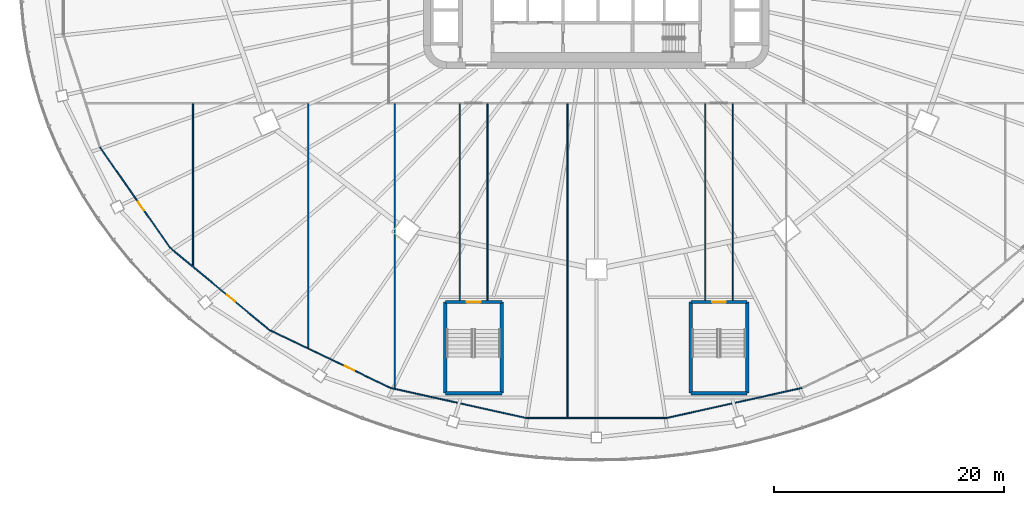
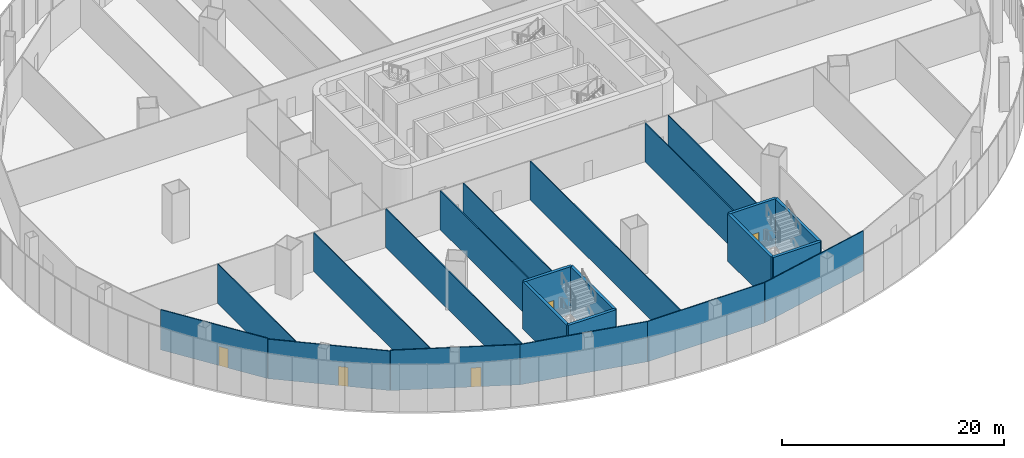
# One storey, part 20 of 42: 22 walls, 5 doors, 5 openings.
"""IFC4 building model written with IfcOpenShell, lengths in metres."""

from ifc_helpers import new_model, si_unit, direction, frame, frame_2d, origin, place, context, subcontext, project, spatial, rectangle, extrude, material, layer, layer_set, type_object, element, fill, save


model = new_model("IFC4")

# Units and contexts
model_context = context("Model", 3, precision=1e-05, world=origin(), true_north=direction((0.0, 1.0)))
body_context = subcontext(model_context, "Body", "Model", "MODEL_VIEW")
ifc_project = project(units=[si_unit("LENGTHUNIT", "METRE"), si_unit("AREAUNIT", "SQUARE_METRE"), si_unit("VOLUMEUNIT", "CUBIC_METRE"), si_unit("PLANEANGLEUNIT", "RADIAN"), si_unit("MASSUNIT", "GRAM", prefix="KILO")], contexts=[model_context])

# Site, building, storey
site_placement = place(None, origin())
site = spatial("IfcSite", under=ifc_project, at=site_placement, CompositionType="ELEMENT")
building_placement = place(site_placement, origin())
building = spatial("IfcBuilding", under=site, at=building_placement, Name="Sahrelin Media Tower", CompositionType="ELEMENT")
storey_placement = place(building_placement, frame((0.0, 0.0, 26.0)))
storey = spatial("IfcBuildingStorey", under=building, at=storey_placement, Name="L03", CompositionType="ELEMENT", Elevation=26.0)

# Wall, opening, door
ifc_material_1 = material(Name="Gypsum board partition")
ifc_layer_1 = layer(ifc_material_1, 0.10009765625)
ifc_layer_set_1 = layer_set([ifc_layer_1], Name="Partition 100")
wall_type_1 = type_object("IfcWallType", Name="Partition 100", PredefinedType="PARTITIONING", material=ifc_layer_set_1)
wall_1_placement = place(storey_placement, frame((-43.09912109375, -14.790771484375, 0.0), z_axis=(0.0, 0.0, 1.0), x_axis=(0.571737958261, -0.820436290692, 0.0)))
wall_1 = element("IfcWall", 1, at=wall_1_placement, inside=storey, type_object=wall_type_1, Name="Wall", PredefinedType="PARTITIONING", context=body_context, shape_type="SweptSolid", body=[
    extrude(rectangle(XDim=10.650146484375, YDim=0.10009765625, at=frame_2d((5.3251953125, 0.0))), origin(), (0.0, 0.0, 1.0), 4.426025390625),
])
opening_1_placement = place(wall_1_placement, frame((5.7900390625, 0.0, 0.0)))
opening_1 = element("IfcOpeningElement", 2, at=opening_1_placement, cuts=wall_1, Name="Opening L03-D34", PredefinedType="OPENING", context=body_context, shape_type="SweptSolid", body=[
    extrude(rectangle(XDim=0.89990234375, YDim=2.10009765625, at=frame_2d((0.449951171875, 1.050048828125))), frame((0.0, 0.050048828125, 0.0), z_axis=(0.0, -1.0, 0.0), x_axis=(1.0, 0.0, 0.0)), (0.0, 0.0, 1.0), 0.10009765625),
])
ifc_material_2 = material(Name="Timber door leaf", Category="wood")
door_type_1 = type_object("IfcDoorType", Name="Single door 900 x 2100", OperationType="NOTDEFINED", PredefinedType="DOOR", material=ifc_material_2)
door_1_placement = place(opening_1_placement, origin())
door_1 = element("IfcDoor", 3, at=door_1_placement, inside=storey, type_object=door_type_1, Name="Single door", OperationType="SINGLE_SWING_RIGHT", OverallHeight=2.10009765625, OverallWidth=0.89990234375, PredefinedType="DOOR", context=body_context, shape_type="SweptSolid", body=[
    extrude(rectangle(XDim=0.89990234375, YDim=2.10009765625, at=frame_2d((0.449951171875, 1.050048828125))), frame((0.0, 0.02490234375, 0.0), z_axis=(0.0, -1.0, 0.0), x_axis=(1.0, 0.0, 0.0)), (0.0, 0.0, 1.0), 0.050048828125),
])
fill(opening_1, door_1)

wall_2_placement = place(storey_placement, frame((-37.010009765625, -23.528564453125, 0.0), z_axis=(0.0, 0.0, 1.0), x_axis=(0.770046995363, -0.637987166746, 0.0)))
wall_2 = element("IfcWall", 4, at=wall_2_placement, inside=storey, type_object=wall_type_1, Name="Wall", PredefinedType="PARTITIONING", context=body_context, shape_type="SweptSolid", body=[
    extrude(rectangle(XDim=11.182861328125, YDim=0.10009765625, at=frame_2d((5.59130859375, 0.0))), origin(), (0.0, 0.0, 1.0), 4.34521484375),
])
opening_2_placement = place(wall_2_placement, frame((6.44091796875, 0.0, 0.0)))
opening_2 = element("IfcOpeningElement", 5, at=opening_2_placement, cuts=wall_2, Name="Opening L03-D35", PredefinedType="OPENING", context=body_context, shape_type="SweptSolid", body=[
    extrude(rectangle(XDim=0.89990234375, YDim=2.10009765625, at=frame_2d((0.449951171875, 1.050048828125))), frame((0.0, 0.050048828125, 0.0), z_axis=(0.0, -1.0, 0.0), x_axis=(1.0, 0.0, 0.0)), (0.0, 0.0, 1.0), 0.10009765625),
])
door_2_placement = place(opening_2_placement, origin())
door_2 = element("IfcDoor", 6, at=door_2_placement, inside=storey, type_object=door_type_1, Name="Single door", OperationType="SINGLE_SWING_RIGHT", OverallHeight=2.10009765625, OverallWidth=0.89990234375, PredefinedType="DOOR", context=body_context, shape_type="SweptSolid", body=[
    extrude(rectangle(XDim=0.89990234375, YDim=2.10009765625, at=frame_2d((0.449951171875, 1.050048828125))), frame((0.0, 0.02490234375, 0.0), z_axis=(0.0, -1.0, 0.0), x_axis=(1.0, 0.0, 0.0)), (0.0, 0.0, 1.0), 0.050048828125),
])
fill(opening_2, door_2)

wall_3_placement = place(storey_placement, frame((-28.398681640625, -30.6630859375, 0.0), z_axis=(0.0, 0.0, 1.0), x_axis=(0.902100999032, -0.431524955878, 0.0)))
wall_3 = element("IfcWall", 7, at=wall_3_placement, inside=storey, type_object=wall_type_1, Name="Wall", PredefinedType="PARTITIONING", context=body_context, shape_type="SweptSolid", body=[
    extrude(rectangle(XDim=11.69091796875, YDim=0.10009765625, at=frame_2d((5.845458984375, 0.0))), origin(), (0.0, 0.0, 1.0), 4.426025390625),
])
opening_3_placement = place(wall_3_placement, frame((7.2958984375, 0.0, 0.0)))
opening_3 = element("IfcOpeningElement", 8, at=opening_3_placement, cuts=wall_3, Name="Opening L03-D36", PredefinedType="OPENING", context=body_context, shape_type="SweptSolid", body=[
    extrude(rectangle(XDim=0.89990234375, YDim=2.10009765625, at=frame_2d((0.449951171875, 1.050048828125))), frame((0.0, 0.050048828125, 0.0), z_axis=(0.0, -1.0, 0.0), x_axis=(1.0, 0.0, 0.0)), (0.0, 0.0, 1.0), 0.10009765625),
])
door_3_placement = place(opening_3_placement, origin())
door_3 = element("IfcDoor", 9, at=door_3_placement, inside=storey, type_object=door_type_1, Name="Single door", OperationType="SINGLE_SWING_RIGHT", OverallHeight=2.10009765625, OverallWidth=0.89990234375, PredefinedType="DOOR", context=body_context, shape_type="SweptSolid", body=[
    extrude(rectangle(XDim=0.89990234375, YDim=2.10009765625, at=frame_2d((0.449951171875, 1.050048828125))), frame((0.0, 0.02490234375, 0.0), z_axis=(0.0, -1.0, 0.0), x_axis=(1.0, 0.0, 0.0)), (0.0, 0.0, 1.0), 0.050048828125),
])
fill(opening_3, door_3)

# Walls
wall_4_placement = place(storey_placement, frame((-17.852294921875, -35.7080078125, 0.0), z_axis=(0.0, 0.0, 1.0), x_axis=(0.97623471049, -0.216715920124, 0.0)))
element("IfcWall", 10, at=wall_4_placement, inside=storey, type_object=wall_type_1, Name="Wall", PredefinedType="PARTITIONING", context=body_context, shape_type="SweptSolid", body=[
    extrude(rectangle(XDim=12.049560546875, YDim=0.10009765625, at=frame_2d((6.02490234375, 0.0))), origin(), (0.0, 0.0, 1.0), 4.426025390625),
])
wall_5_placement = place(storey_placement, frame((-6.089111328125, -38.3193359375, 0.0), z_axis=(0.0, 0.0, 1.0), x_axis=(1.0, 0.0, 0.0)))
element("IfcWall", 11, at=wall_5_placement, inside=storey, type_object=wall_type_1, Name="Wall", PredefinedType="PARTITIONING", context=body_context, shape_type="SweptSolid", body=[
    extrude(rectangle(XDim=12.17822265625, YDim=0.10009765625, at=frame_2d((6.089111328125, 0.0))), origin(), (0.0, 0.0, 1.0), 4.426025390625),
])
wall_6_placement = place(storey_placement, frame((6.089111328125, -38.3193359375, 0.0), z_axis=(0.0, 0.0, 1.0), x_axis=(0.97623471049, 0.216715920124, 0.0)))
element("IfcWall", 12, at=wall_6_placement, inside=storey, type_object=wall_type_1, Name="Wall", PredefinedType="PARTITIONING", context=body_context, shape_type="SweptSolid", body=[
    extrude(rectangle(XDim=12.049560546875, YDim=0.10009765625, at=frame_2d((6.02490234375, 0.0))), origin(), (0.0, 0.0, 1.0), 4.426025390625),
])
wall_7_placement = place(storey_placement, frame((-35.0, -11.050048828125, 0.0), z_axis=(0.0, 0.0, 1.0), x_axis=(0.0, -1.0, 0.0)))
element("IfcWall", 13, at=wall_7_placement, inside=storey, type_object=wall_type_1, Name="Wall", PredefinedType="PARTITIONING", context=body_context, shape_type="SweptSolid", body=[
    extrude(rectangle(XDim=14.037353515625, YDim=0.10009765625, at=frame_2d((7.0185546875, 0.0))), origin(), (0.0, 0.0, 1.0), 4.34521484375),
])
wall_8_placement = place(storey_placement, frame((-25.0, -11.050048828125, 0.0), z_axis=(0.0, 0.0, 1.0), x_axis=(0.0, -1.0, 0.0)))
element("IfcWall", 14, at=wall_8_placement, inside=storey, type_object=wall_type_1, Name="Wall", PredefinedType="PARTITIONING", context=body_context, shape_type="SweptSolid", body=[
    extrude(rectangle(XDim=21.159423828125, YDim=0.10009765625, at=frame_2d((10.57958984375, 0.0))), origin(), (0.0, 0.0, 1.0), 4.268310546875),
])
wall_9_placement = place(storey_placement, frame((-17.5, -11.050048828125, 0.0), z_axis=(0.0, 0.0, 1.0), x_axis=(0.0, -1.0, 0.0)))
element("IfcWall", 15, at=wall_9_placement, inside=storey, type_object=wall_type_1, Name="Wall", PredefinedType="PARTITIONING", context=body_context, shape_type="SweptSolid", body=[
    extrude(rectangle(XDim=24.673828125, YDim=0.10009765625, at=frame_2d((12.3369140625, 0.0))), origin(), (0.0, 0.0, 1.0), 4.268310546875),
])
wall_10_placement = place(storey_placement, frame((-2.5, -11.050048828125, 0.0), z_axis=(0.0, 0.0, 1.0), x_axis=(0.0, -1.0, 0.0)))
element("IfcWall", 16, at=wall_10_placement, inside=storey, type_object=wall_type_1, Name="Wall", PredefinedType="PARTITIONING", context=body_context, shape_type="SweptSolid", body=[
    extrude(rectangle(XDim=27.21923828125, YDim=0.10009765625, at=frame_2d((13.609619140625, 0.0))), origin(), (0.0, 0.0, 1.0), 4.268310546875),
])
for number, where, z_axis, x_axis, name in (
    (17, (-11.85009765625, -11.050048828125, 0.0), (0.0, 0.0, 1.0), (0.0, -1.0, 0.0), "Wall"),
    (18, (-9.449951171875, -11.050048828125, 0.0), (0.0, 0.0, 1.0), (0.0, -1.0, 0.0), "Wall"),
    (19, (9.449951171875, -11.050048828125, 0.0), (0.0, 0.0, 1.0), (0.0, -1.0, 0.0), "Wall"),
    (20, (11.85009765625, -11.050048828125, 0.0), (0.0, 0.0, 1.0), (0.0, -1.0, 0.0), "Wall"),
):
    element("IfcWall", number, at=place(storey_placement, frame(where, z_axis=z_axis, x_axis=x_axis)), inside=storey, type_object=wall_type_1, Name=name, PredefinedType="PARTITIONING", context=body_context, shape_type="SweptSolid", body=[
        extrude(rectangle(XDim=17.050048828125, YDim=0.10009765625, at=frame_2d((8.52490234375, 0.0))), origin(), (0.0, 0.0, 1.0), 4.268310546875),
    ])
ifc_material_3 = material(Name="Concrete C60/75", Category="concrete")
ifc_layer_2 = layer(ifc_material_3, 0.300048828125)
ifc_layer_set_2 = layer_set([ifc_layer_2], Name="Stair enclosure wall 300")
wall_type_2 = type_object("IfcWallType", Name="Stair enclosure wall 300", PredefinedType="SOLIDWALL", material=ifc_layer_set_2)
wall_11_placement = place(storey_placement, frame((-8.199951171875, -36.14990234375, 0.0), z_axis=(0.0, 0.0, 1.0), x_axis=(-1.0, 0.0, 0.0)))
element("IfcWall", 21, at=wall_11_placement, inside=storey, type_object=wall_type_2, Name="Stair PS3", PredefinedType="SOLIDWALL", context=body_context, shape_type="SweptSolid", body=[
    extrude(rectangle(XDim=4.900146484375, YDim=0.300048828125, at=frame_2d((2.4501953125, 0.0))), origin(), (0.0, 0.0, 1.0), 5.199951171875),
])
wall_12_placement = place(storey_placement, frame((-13.10009765625, -36.14990234375, 0.0), z_axis=(0.0, 0.0, 1.0), x_axis=(0.0, 1.0, 0.0)))
element("IfcWall", 22, at=wall_12_placement, inside=storey, type_object=wall_type_2, Name="Stair PS3", PredefinedType="SOLIDWALL", context=body_context, shape_type="SweptSolid", body=[
    extrude(rectangle(XDim=7.89990234375, YDim=0.300048828125, at=frame_2d((3.949951171875, 0.0))), origin(), (0.0, 0.0, 1.0), 5.199951171875),
])

# Wall, opening, door
wall_13_placement = place(storey_placement, frame((-13.10009765625, -28.25, 0.0), z_axis=(0.0, 0.0, 1.0), x_axis=(1.0, 0.0, 0.0)))
wall_13 = element("IfcWall", 23, at=wall_13_placement, inside=storey, type_object=wall_type_2, Name="Stair PS3", PredefinedType="SOLIDWALL", context=body_context, shape_type="SweptSolid", body=[
    extrude(rectangle(XDim=4.900146484375, YDim=0.300048828125, at=frame_2d((2.4501953125, 0.0))), origin(), (0.0, 0.0, 1.0), 5.199951171875),
])
opening_4_placement = place(wall_13_placement, frame((1.85009765625, 0.0, 0.0)))
opening_4 = element("IfcOpeningElement", 24, at=opening_4_placement, cuts=wall_13, Name="Opening L03-D52", PredefinedType="OPENING", context=body_context, shape_type="SweptSolid", body=[
    extrude(rectangle(XDim=1.199951171875, YDim=2.10009765625, at=frame_2d((0.60009765625, 1.050048828125))), frame((0.0, 0.14990234375, 0.0), z_axis=(0.0, -1.0, 0.0), x_axis=(1.0, 0.0, 0.0)), (0.0, 0.0, 1.0), 0.300048828125),
])
ifc_material_4 = material(Name="Steel fire door leaf", Category="steel")
door_type_2 = type_object("IfcDoorType", Name="Stair door 1200 x 2100 EI 120", OperationType="NOTDEFINED", PredefinedType="DOOR", material=ifc_material_4)
door_4_placement = place(opening_4_placement, origin())
door_4 = element("IfcDoor", 25, at=door_4_placement, inside=storey, type_object=door_type_2, Name="Stair door", OperationType="SINGLE_SWING_RIGHT", OverallHeight=2.10009765625, OverallWidth=1.199951171875, PredefinedType="DOOR", context=body_context, shape_type="SweptSolid", body=[
    extrude(rectangle(XDim=1.199951171875, YDim=2.10009765625, at=frame_2d((0.60009765625, 1.050048828125))), frame((0.0, 0.02490234375, 0.0), z_axis=(0.0, -1.0, 0.0), x_axis=(1.0, 0.0, 0.0)), (0.0, 0.0, 1.0), 0.050048828125),
])
fill(opening_4, door_4)

# Walls
wall_14_placement = place(storey_placement, frame((-8.199951171875, -28.25, 0.0), z_axis=(0.0, 0.0, 1.0), x_axis=(0.0, -1.0, 0.0)))
element("IfcWall", 26, at=wall_14_placement, inside=storey, type_object=wall_type_2, Name="Stair PS3", PredefinedType="SOLIDWALL", context=body_context, shape_type="SweptSolid", body=[
    extrude(rectangle(XDim=7.89990234375, YDim=0.300048828125, at=frame_2d((3.949951171875, 0.0))), origin(), (0.0, 0.0, 1.0), 5.199951171875),
])
wall_15_placement = place(storey_placement, frame((13.10009765625, -36.14990234375, 0.0), z_axis=(0.0, 0.0, 1.0), x_axis=(-1.0, 0.0, 0.0)))
element("IfcWall", 27, at=wall_15_placement, inside=storey, type_object=wall_type_2, Name="Stair PS4", PredefinedType="SOLIDWALL", context=body_context, shape_type="SweptSolid", body=[
    extrude(rectangle(XDim=4.900146484375, YDim=0.300048828125, at=frame_2d((2.4501953125, 0.0))), origin(), (0.0, 0.0, 1.0), 5.199951171875),
])
wall_16_placement = place(storey_placement, frame((8.199951171875, -36.14990234375, 0.0), z_axis=(0.0, 0.0, 1.0), x_axis=(0.0, 1.0, 0.0)))
element("IfcWall", 28, at=wall_16_placement, inside=storey, type_object=wall_type_2, Name="Stair PS4", PredefinedType="SOLIDWALL", context=body_context, shape_type="SweptSolid", body=[
    extrude(rectangle(XDim=7.89990234375, YDim=0.300048828125, at=frame_2d((3.949951171875, 0.0))), origin(), (0.0, 0.0, 1.0), 5.199951171875),
])

# Wall, opening, door
wall_17_placement = place(storey_placement, frame((8.199951171875, -28.25, 0.0), z_axis=(0.0, 0.0, 1.0), x_axis=(1.0, 0.0, 0.0)))
wall_17 = element("IfcWall", 29, at=wall_17_placement, inside=storey, type_object=wall_type_2, Name="Stair PS4", PredefinedType="SOLIDWALL", context=body_context, shape_type="SweptSolid", body=[
    extrude(rectangle(XDim=4.900146484375, YDim=0.300048828125, at=frame_2d((2.4501953125, 0.0))), origin(), (0.0, 0.0, 1.0), 5.199951171875),
])
opening_5_placement = place(wall_17_placement, frame((1.85009765625, 0.0, 0.0)))
opening_5 = element("IfcOpeningElement", 30, at=opening_5_placement, cuts=wall_17, Name="Opening L03-D53", PredefinedType="OPENING", context=body_context, shape_type="SweptSolid", body=[
    extrude(rectangle(XDim=1.199951171875, YDim=2.10009765625, at=frame_2d((0.60009765625, 1.050048828125))), frame((0.0, 0.14990234375, 0.0), z_axis=(0.0, -1.0, 0.0), x_axis=(1.0, 0.0, 0.0)), (0.0, 0.0, 1.0), 0.300048828125),
])
door_5_placement = place(opening_5_placement, origin())
door_5 = element("IfcDoor", 31, at=door_5_placement, inside=storey, type_object=door_type_2, Name="Stair door", OperationType="SINGLE_SWING_RIGHT", OverallHeight=2.10009765625, OverallWidth=1.199951171875, PredefinedType="DOOR", context=body_context, shape_type="SweptSolid", body=[
    extrude(rectangle(XDim=1.199951171875, YDim=2.10009765625, at=frame_2d((0.60009765625, 1.050048828125))), frame((0.0, 0.02490234375, 0.0), z_axis=(0.0, -1.0, 0.0), x_axis=(1.0, 0.0, 0.0)), (0.0, 0.0, 1.0), 0.050048828125),
])
fill(opening_5, door_5)

# Wall
wall_18_placement = place(storey_placement, frame((13.10009765625, -28.25, 0.0), z_axis=(0.0, 0.0, 1.0), x_axis=(0.0, -1.0, 0.0)))
element("IfcWall", 32, at=wall_18_placement, inside=storey, type_object=wall_type_2, Name="Stair PS4", PredefinedType="SOLIDWALL", context=body_context, shape_type="SweptSolid", body=[
    extrude(rectangle(XDim=7.89990234375, YDim=0.300048828125, at=frame_2d((3.949951171875, 0.0))), origin(), (0.0, 0.0, 1.0), 5.199951171875),
])

save(model, "model.ifc")
